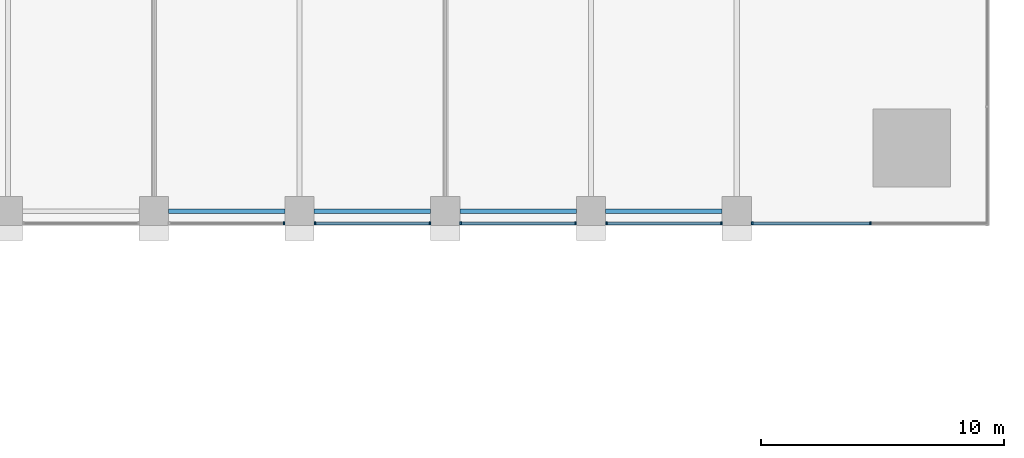
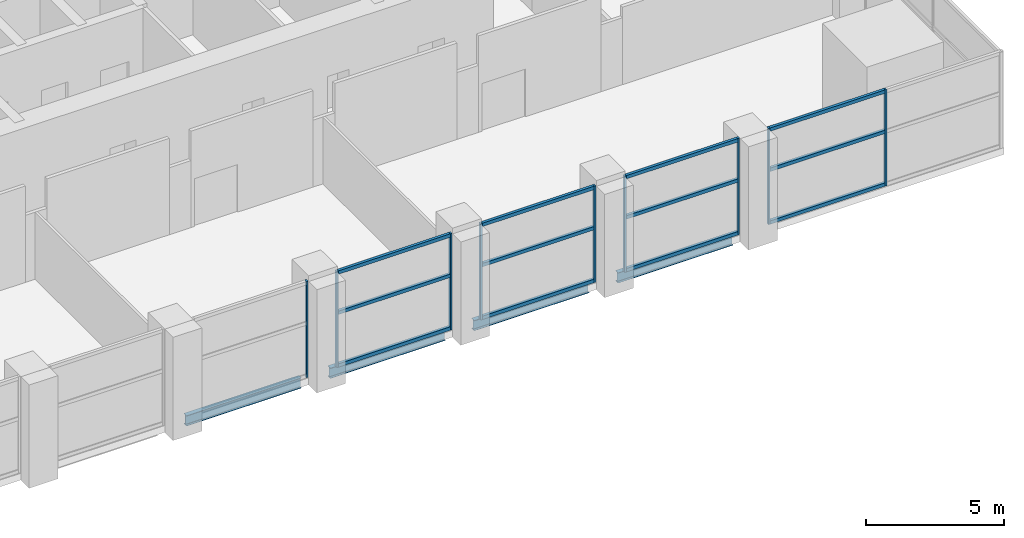
# One storey, part 4 of 24: 21 members, 4 beams, 5 elements without a shape of their own.
"""IFC4 building model written with IfcOpenShell, lengths in metres."""

from ifc_helpers import new_model, si_unit, direction, frame, origin, origin_2d, place, context, subcontext, project, spatial, rectangle, i_section, extrude, material, material_profile, profile_set, type_object, element, aggregate, save


model = new_model("IFC4")

# Units and contexts
model_context = context("Model", 3, precision=1e-05, world=origin(), true_north=direction((0.0, 1.0)))
body_context = subcontext(model_context, "Body", "Model", "MODEL_VIEW")
ifc_project = project(units=[si_unit("LENGTHUNIT", "METRE"), si_unit("AREAUNIT", "SQUARE_METRE"), si_unit("VOLUMEUNIT", "CUBIC_METRE"), si_unit("PLANEANGLEUNIT", "RADIAN"), si_unit("MASSUNIT", "GRAM", prefix="KILO")], contexts=[model_context])

# Site, building, storey
site_placement = place(None, origin())
site = spatial("IfcSite", under=ifc_project, at=site_placement, CompositionType="ELEMENT")
building_placement = place(site_placement, origin())
building = spatial("IfcBuilding", under=site, at=building_placement, Name="Amberfall Residences", CompositionType="ELEMENT")
storey_placement = place(building_placement, frame((0.0, 0.0, 19.0)))
storey = spatial("IfcBuildingStorey", under=building, at=storey_placement, Name="L04", CompositionType="ELEMENT", Elevation=19.0)

# Curtain wall, member
ifc_material_1 = material(Name="Bronze anodised aluminium and glass", Category="aluminium")
curtain_wall_type = type_object("IfcCurtainWallType", Name="Curtain wall CW4 podium storefront", PredefinedType="USERDEFINED", material=ifc_material_1)
curtain_wall_1_placement = place(storey_placement, origin())
curtain_wall_1 = element("IfcCurtainWall", 1, at=curtain_wall_1_placement, inside=storey, type_object=curtain_wall_type, Name="Storefront L04 S3", ObjectType="UNITISED CURTAIN WALL", PredefinedType="USERDEFINED")
ifc_material_2 = material(Name="Bronze anodised aluminium", Category="aluminium")
ifc_material_profile_1 = material_profile(ifc_material_2, rectangle(XDim=0.1201171875, YDim=0.070068359375, at=origin_2d()), Name="CW4 mullion 70 x 120 bronze")
ifc_profile_set_1 = profile_set([ifc_material_profile_1], Name="Bronze anodised aluminium")
member_type_1 = type_object("IfcMemberType", Name="CW4 mullion 70 x 120 bronze", PredefinedType="MULLION", material=ifc_profile_set_1)
member_1_placement = place(storey_placement, frame((70.965087890625, 20.10009765625, 0.0), z_axis=(0.0, 0.0, 1.0), x_axis=(0.0, 1.0, 0.0)))
member_1 = element("IfcMember", 2, at=member_1_placement, type_object=member_type_1, Name="CW4 mullion 2", PredefinedType="MULLION", context=body_context, shape_type="SweptSolid", body=[
    extrude(rectangle(XDim=0.1201171875, YDim=0.070068359375, at=origin_2d()), origin(), (0.0, 0.0, 1.0), 4.25),
])
aggregate(curtain_wall_1, [member_1])

# Curtain wall, members
curtain_wall_2_placement = place(storey_placement, origin())
curtain_wall_2 = element("IfcCurtainWall", 3, at=curtain_wall_2_placement, inside=storey, type_object=curtain_wall_type, Name="Storefront L04 S4", ObjectType="UNITISED CURTAIN WALL", PredefinedType="USERDEFINED")
member_2_placement = place(storey_placement, frame((72.235107421875, 20.10009765625, 0.0), z_axis=(0.0, 0.0, 1.0), x_axis=(0.0, 1.0, 0.0)))
member_2 = element("IfcMember", 4, at=member_2_placement, type_object=member_type_1, Name="CW4 mullion 1", PredefinedType="MULLION", context=body_context, shape_type="SweptSolid", body=[
    extrude(rectangle(XDim=0.1201171875, YDim=0.070068359375, at=origin_2d()), origin(), (0.0, 0.0, 1.0), 4.25),
])
member_3_placement = place(storey_placement, frame((76.965087890625, 20.10009765625, 0.0), z_axis=(0.0, 0.0, 1.0), x_axis=(0.0, 1.0, 0.0)))
member_3 = element("IfcMember", 5, at=member_3_placement, type_object=member_type_1, Name="CW4 mullion 2", PredefinedType="MULLION", context=body_context, shape_type="SweptSolid", body=[
    extrude(rectangle(XDim=0.1201171875, YDim=0.070068359375, at=origin_2d()), origin(), (0.0, 0.0, 1.0), 4.25),
])

curtain_wall_3_placement = place(storey_placement, origin())
curtain_wall_3 = element("IfcCurtainWall", 6, at=curtain_wall_3_placement, inside=storey, type_object=curtain_wall_type, Name="Storefront L04 S5", ObjectType="UNITISED CURTAIN WALL", PredefinedType="USERDEFINED")
member_4_placement = place(storey_placement, frame((78.235107421875, 20.10009765625, 0.0), z_axis=(0.0, 0.0, 1.0), x_axis=(0.0, 1.0, 0.0)))
member_4 = element("IfcMember", 7, at=member_4_placement, type_object=member_type_1, Name="CW4 mullion 1", PredefinedType="MULLION", context=body_context, shape_type="SweptSolid", body=[
    extrude(rectangle(XDim=0.1201171875, YDim=0.070068359375, at=origin_2d()), origin(), (0.0, 0.0, 1.0), 4.25),
])
member_5_placement = place(storey_placement, frame((82.965087890625, 20.10009765625, 0.0), z_axis=(0.0, 0.0, 1.0), x_axis=(0.0, 1.0, 0.0)))
member_5 = element("IfcMember", 8, at=member_5_placement, type_object=member_type_1, Name="CW4 mullion 2", PredefinedType="MULLION", context=body_context, shape_type="SweptSolid", body=[
    extrude(rectangle(XDim=0.1201171875, YDim=0.070068359375, at=origin_2d()), origin(), (0.0, 0.0, 1.0), 4.25),
])

curtain_wall_4_placement = place(storey_placement, origin())
curtain_wall_4 = element("IfcCurtainWall", 9, at=curtain_wall_4_placement, inside=storey, type_object=curtain_wall_type, Name="Storefront L04 S6", ObjectType="UNITISED CURTAIN WALL", PredefinedType="USERDEFINED")
member_6_placement = place(storey_placement, frame((84.235107421875, 20.10009765625, 0.0), z_axis=(0.0, 0.0, 1.0), x_axis=(0.0, 1.0, 0.0)))
member_6 = element("IfcMember", 10, at=member_6_placement, type_object=member_type_1, Name="CW4 mullion 1", PredefinedType="MULLION", context=body_context, shape_type="SweptSolid", body=[
    extrude(rectangle(XDim=0.1201171875, YDim=0.070068359375, at=origin_2d()), origin(), (0.0, 0.0, 1.0), 4.25),
])
member_7_placement = place(storey_placement, frame((88.965087890625, 20.10009765625, 0.0), z_axis=(0.0, 0.0, 1.0), x_axis=(0.0, 1.0, 0.0)))
member_7 = element("IfcMember", 11, at=member_7_placement, type_object=member_type_1, Name="CW4 mullion 2", PredefinedType="MULLION", context=body_context, shape_type="SweptSolid", body=[
    extrude(rectangle(XDim=0.1201171875, YDim=0.070068359375, at=origin_2d()), origin(), (0.0, 0.0, 1.0), 4.25),
])

curtain_wall_5_placement = place(storey_placement, origin())
curtain_wall_5 = element("IfcCurtainWall", 12, at=curtain_wall_5_placement, inside=storey, type_object=curtain_wall_type, Name="Storefront L04 S7", ObjectType="UNITISED CURTAIN WALL", PredefinedType="USERDEFINED")
member_8_placement = place(storey_placement, frame((90.235107421875, 20.10009765625, 0.0), z_axis=(0.0, 0.0, 1.0), x_axis=(0.0, 1.0, 0.0)))
member_8 = element("IfcMember", 13, at=member_8_placement, type_object=member_type_1, Name="CW4 mullion 1", PredefinedType="MULLION", context=body_context, shape_type="SweptSolid", body=[
    extrude(rectangle(XDim=0.1201171875, YDim=0.070068359375, at=origin_2d()), origin(), (0.0, 0.0, 1.0), 4.25),
])
member_9_placement = place(storey_placement, frame((95.10009765625, 20.10009765625, 0.0), z_axis=(0.0, 0.0, 1.0), x_axis=(0.0, 1.0, 0.0)))
member_9 = element("IfcMember", 14, at=member_9_placement, type_object=member_type_1, Name="CW4 mullion 2", PredefinedType="MULLION", context=body_context, shape_type="SweptSolid", body=[
    extrude(rectangle(XDim=0.1201171875, YDim=0.070068359375, at=origin_2d()), origin(), (0.0, 0.0, 1.0), 4.25),
])

# Member
ifc_material_profile_2 = material_profile(ifc_material_2, rectangle(XDim=0.1201171875, YDim=0.14990234375, at=origin_2d()), Name="CW4 transom 120 x 150 bronze")
ifc_profile_set_2 = profile_set([ifc_material_profile_2], Name="Bronze anodised aluminium")
member_type_2 = type_object("IfcMemberType", Name="CW4 transom 120 x 150 bronze", PredefinedType="USERDEFINED", material=ifc_profile_set_2)
member_10_placement = place(storey_placement, frame((72.27001953125, 20.10009765625, 0.074951171875), z_axis=(1.0, 0.0, 0.0), x_axis=(0.0, 1.0, 0.0)))
member_10 = element("IfcMember", 15, at=member_10_placement, type_object=member_type_2, Name="CW4 transom 1.1", ObjectType="TRANSOM", PredefinedType="USERDEFINED", context=body_context, shape_type="SweptSolid", body=[
    extrude(rectangle(XDim=0.1201171875, YDim=0.14990234375, at=origin_2d()), origin(), (0.0, 0.0, 1.0), 4.659912109375),
])

member_11_placement = place(storey_placement, frame((72.27001953125, 20.10009765625, 2.39990234375), z_axis=(1.0, 0.0, 0.0), x_axis=(0.0, 1.0, 0.0)))
member_11 = element("IfcMember", 16, at=member_11_placement, type_object=member_type_2, Name="CW4 transom 1.2", ObjectType="TRANSOM", PredefinedType="USERDEFINED", context=body_context, shape_type="SweptSolid", body=[
    extrude(rectangle(XDim=0.1201171875, YDim=0.14990234375, at=origin_2d()), origin(), (0.0, 0.0, 1.0), 4.659912109375),
])

member_12_placement = place(storey_placement, frame((72.27001953125, 20.10009765625, 4.175048828125), z_axis=(1.0, 0.0, 0.0), x_axis=(0.0, 1.0, 0.0)))
member_12 = element("IfcMember", 17, at=member_12_placement, type_object=member_type_2, Name="CW4 transom 1.3", ObjectType="TRANSOM", PredefinedType="USERDEFINED", context=body_context, shape_type="SweptSolid", body=[
    extrude(rectangle(XDim=0.1201171875, YDim=0.14990234375, at=origin_2d()), origin(), (0.0, 0.0, 1.0), 4.659912109375),
])

aggregate(curtain_wall_2, [member_2, member_3, member_10, member_11, member_12])

member_13_placement = place(storey_placement, frame((78.27001953125, 20.10009765625, 0.074951171875), z_axis=(1.0, 0.0, 0.0), x_axis=(0.0, 1.0, 0.0)))
member_13 = element("IfcMember", 18, at=member_13_placement, type_object=member_type_2, Name="CW4 transom 1.1", ObjectType="TRANSOM", PredefinedType="USERDEFINED", context=body_context, shape_type="SweptSolid", body=[
    extrude(rectangle(XDim=0.1201171875, YDim=0.14990234375, at=origin_2d()), origin(), (0.0, 0.0, 1.0), 4.659912109375),
])

member_14_placement = place(storey_placement, frame((78.27001953125, 20.10009765625, 2.39990234375), z_axis=(1.0, 0.0, 0.0), x_axis=(0.0, 1.0, 0.0)))
member_14 = element("IfcMember", 19, at=member_14_placement, type_object=member_type_2, Name="CW4 transom 1.2", ObjectType="TRANSOM", PredefinedType="USERDEFINED", context=body_context, shape_type="SweptSolid", body=[
    extrude(rectangle(XDim=0.1201171875, YDim=0.14990234375, at=origin_2d()), origin(), (0.0, 0.0, 1.0), 4.659912109375),
])

member_15_placement = place(storey_placement, frame((78.27001953125, 20.10009765625, 4.175048828125), z_axis=(1.0, 0.0, 0.0), x_axis=(0.0, 1.0, 0.0)))
member_15 = element("IfcMember", 20, at=member_15_placement, type_object=member_type_2, Name="CW4 transom 1.3", ObjectType="TRANSOM", PredefinedType="USERDEFINED", context=body_context, shape_type="SweptSolid", body=[
    extrude(rectangle(XDim=0.1201171875, YDim=0.14990234375, at=origin_2d()), origin(), (0.0, 0.0, 1.0), 4.659912109375),
])

aggregate(curtain_wall_3, [member_4, member_5, member_13, member_14, member_15])

member_16_placement = place(storey_placement, frame((84.27001953125, 20.10009765625, 0.074951171875), z_axis=(1.0, 0.0, 0.0), x_axis=(0.0, 1.0, 0.0)))
member_16 = element("IfcMember", 21, at=member_16_placement, type_object=member_type_2, Name="CW4 transom 1.1", ObjectType="TRANSOM", PredefinedType="USERDEFINED", context=body_context, shape_type="SweptSolid", body=[
    extrude(rectangle(XDim=0.1201171875, YDim=0.14990234375, at=origin_2d()), origin(), (0.0, 0.0, 1.0), 4.659912109375),
])

member_17_placement = place(storey_placement, frame((84.27001953125, 20.10009765625, 2.39990234375), z_axis=(1.0, 0.0, 0.0), x_axis=(0.0, 1.0, 0.0)))
member_17 = element("IfcMember", 22, at=member_17_placement, type_object=member_type_2, Name="CW4 transom 1.2", ObjectType="TRANSOM", PredefinedType="USERDEFINED", context=body_context, shape_type="SweptSolid", body=[
    extrude(rectangle(XDim=0.1201171875, YDim=0.14990234375, at=origin_2d()), origin(), (0.0, 0.0, 1.0), 4.659912109375),
])

member_18_placement = place(storey_placement, frame((84.27001953125, 20.10009765625, 4.175048828125), z_axis=(1.0, 0.0, 0.0), x_axis=(0.0, 1.0, 0.0)))
member_18 = element("IfcMember", 23, at=member_18_placement, type_object=member_type_2, Name="CW4 transom 1.3", ObjectType="TRANSOM", PredefinedType="USERDEFINED", context=body_context, shape_type="SweptSolid", body=[
    extrude(rectangle(XDim=0.1201171875, YDim=0.14990234375, at=origin_2d()), origin(), (0.0, 0.0, 1.0), 4.659912109375),
])

aggregate(curtain_wall_4, [member_6, member_7, member_16, member_17, member_18])

member_19_placement = place(storey_placement, frame((90.27001953125, 20.10009765625, 0.074951171875), z_axis=(1.0, 0.0, 0.0), x_axis=(0.0, 1.0, 0.0)))
member_19 = element("IfcMember", 24, at=member_19_placement, type_object=member_type_2, Name="CW4 transom 1.1", ObjectType="TRANSOM", PredefinedType="USERDEFINED", context=body_context, shape_type="SweptSolid", body=[
    extrude(rectangle(XDim=0.1201171875, YDim=0.14990234375, at=origin_2d()), origin(), (0.0, 0.0, 1.0), 4.794921875),
])

member_20_placement = place(storey_placement, frame((90.27001953125, 20.10009765625, 2.39990234375), z_axis=(1.0, 0.0, 0.0), x_axis=(0.0, 1.0, 0.0)))
member_20 = element("IfcMember", 25, at=member_20_placement, type_object=member_type_2, Name="CW4 transom 1.2", ObjectType="TRANSOM", PredefinedType="USERDEFINED", context=body_context, shape_type="SweptSolid", body=[
    extrude(rectangle(XDim=0.1201171875, YDim=0.14990234375, at=origin_2d()), origin(), (0.0, 0.0, 1.0), 4.794921875),
])

member_21_placement = place(storey_placement, frame((90.27001953125, 20.10009765625, 4.175048828125), z_axis=(1.0, 0.0, 0.0), x_axis=(0.0, 1.0, 0.0)))
member_21 = element("IfcMember", 26, at=member_21_placement, type_object=member_type_2, Name="CW4 transom 1.3", ObjectType="TRANSOM", PredefinedType="USERDEFINED", context=body_context, shape_type="SweptSolid", body=[
    extrude(rectangle(XDim=0.1201171875, YDim=0.14990234375, at=origin_2d()), origin(), (0.0, 0.0, 1.0), 4.794921875),
])

aggregate(curtain_wall_5, [member_8, member_9, member_19, member_20, member_21])

# Beams
ifc_material_3 = material(Name="Steel S355", Category="steel")
ifc_material_profile_3 = material_profile(ifc_material_3, i_section(OverallWidth=0.18994140625, OverallDepth=0.453369140625, WebThickness=0.008544921875, FlangeThickness=0.0126953125, FilletRadius=0.01025390625, at=origin_2d()), Name="UB 457x191x67")
ifc_profile_set_3 = profile_set([ifc_material_profile_3], Name="Steel S355")
beam_type = type_object("IfcBeamType", Name="Edge beam UB 457x191x67", PredefinedType="SPANDREL", material=ifc_profile_set_3)
for number, where, z_axis, x_axis, name in (
    (27, (66.199951171875, 20.60009765625, -0.526611328125), (1.0, 0.0, 0.0), (0.0, 1.0, 0.0), "Edge beam B1 L04 02"),
    (28, (72.199951171875, 20.60009765625, -0.526611328125), (1.0, 0.0, 0.0), (0.0, 1.0, 0.0), "Edge beam B1 L04 03"),
    (29, (78.199951171875, 20.60009765625, -0.526611328125), (1.0, 0.0, 0.0), (0.0, 1.0, 0.0), "Edge beam B1 L04 04"),
    (30, (84.199951171875, 20.60009765625, -0.526611328125), (1.0, 0.0, 0.0), (0.0, 1.0, 0.0), "Edge beam B1 L04 05"),
):
    element("IfcBeam", number, at=place(storey_placement, frame(where, z_axis=z_axis, x_axis=x_axis)), inside=storey, type_object=beam_type, Name=name, PredefinedType="SPANDREL", context=body_context, shape_type="SweptSolid", body=[
        extrude(i_section(OverallWidth=0.18994140625, OverallDepth=0.453369140625, WebThickness=0.008544921875, FlangeThickness=0.0126953125, FilletRadius=0.01025390625, at=origin_2d()), origin(), (0.0, 0.0, 1.0), 4.800048828125),
    ])

save(model, "model.ifc")
